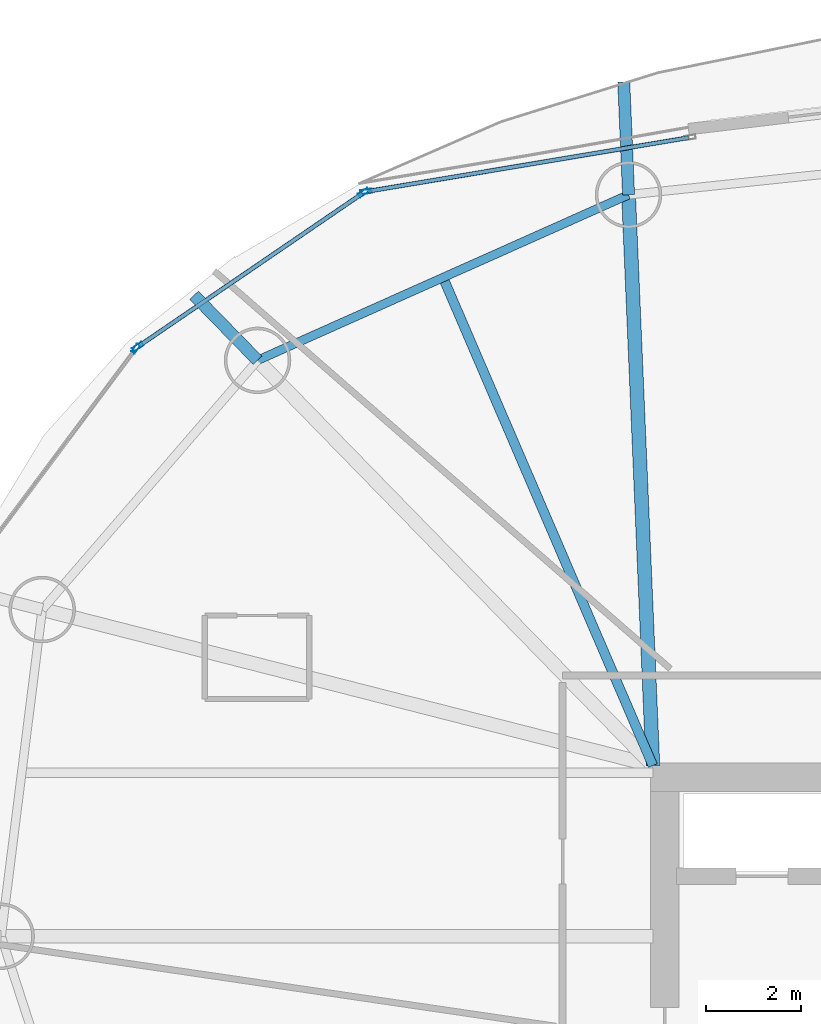
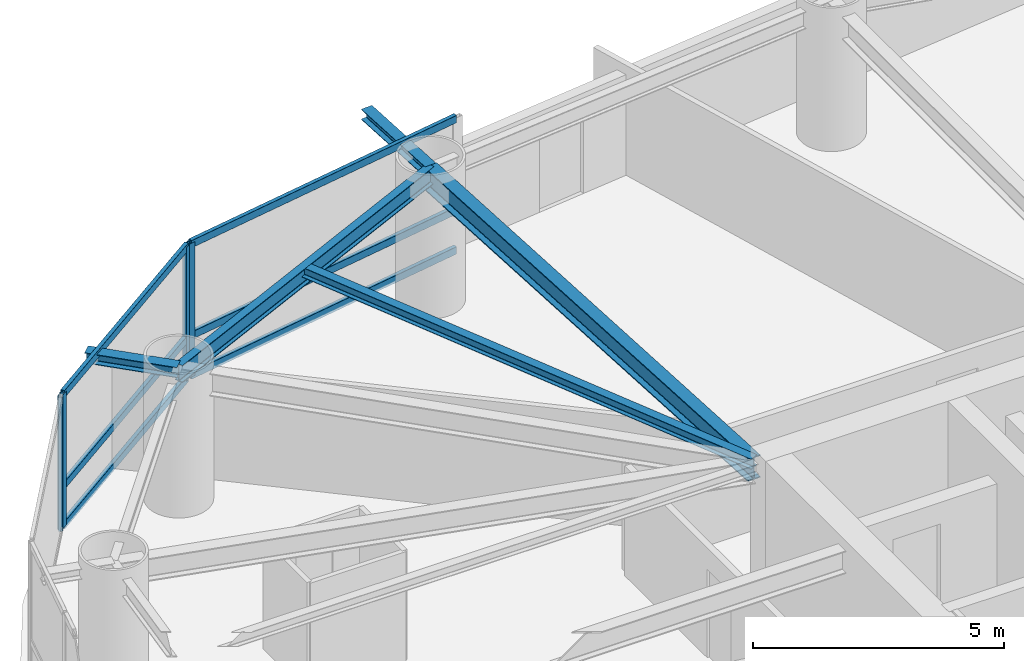
# One storey, part 14 of 22: 10 members, 5 beams, 3 elements without a shape of their own.
"""IFC4 building model written with IfcOpenShell, lengths in metres."""

from ifc_helpers import new_model, si_unit, direction, frame, origin, origin_2d, place, context, subcontext, project, spatial, hollow_rectangle, i_section, extrude, material, layer, layer_set, material_profile, profile_set, type_object, element, aggregate, save


model = new_model("IFC4")

# Units and contexts
model_context = context("Model", 3, precision=1e-05, world=origin(), true_north=direction((0.0, 1.0)))
body_context = subcontext(model_context, "Body", "Model", "MODEL_VIEW")
ifc_project = project(units=[si_unit("LENGTHUNIT", "METRE"), si_unit("AREAUNIT", "SQUARE_METRE"), si_unit("VOLUMEUNIT", "CUBIC_METRE"), si_unit("PLANEANGLEUNIT", "RADIAN"), si_unit("MASSUNIT", "GRAM", prefix="KILO")], contexts=[model_context])

# Site, building, storey
site_placement = place(None, origin())
site = spatial("IfcSite", under=ifc_project, at=site_placement, CompositionType="ELEMENT")
building_placement = place(site_placement, origin())
building = spatial("IfcBuilding", under=site, at=building_placement, Name="Bramvorn Convention Spire", CompositionType="ELEMENT")
storey_placement = place(building_placement, frame((0.0, 0.0, 134.300048828125)))
storey = spatial("IfcBuildingStorey", under=building, at=storey_placement, Name="L33", CompositionType="ELEMENT", Elevation=134.300048828125)

# Beams
ifc_material_1 = material(Name="Steel CSA G40.21 Grade 350 (350W)", Category="steel")
ifc_material_profile_1 = material_profile(ifc_material_1, i_section(OverallWidth=0.201904296875, OverallDepth=0.2470703125, WebThickness=0.00732421875, FlangeThickness=0.010986328125, FilletRadius=0.011962890625, at=origin_2d()))
ifc_profile_set_1 = profile_set([ifc_material_profile_1], Name="Steel CSA G40.21 Grade 350 (350W) - W250X49")
beam_type_1 = type_object("IfcBeamType", Name="BM-W250X49", PredefinedType="JOIST", material=ifc_profile_set_1)
beam_1_placement = place(storey_placement, frame((26.75, 33.449951171875, 3.136474609375), z_axis=(-0.394937739893, 0.918707886985, 0.0), x_axis=(-0.918707886985, -0.394937739893, 0.0)))
element("IfcBeam", 1, at=beam_1_placement, inside=storey, type_object=beam_type_1, Name="L33 composite floor joist 07", PredefinedType="JOIST", context=body_context, shape_type="SweptSolid", body=[
    extrude(i_section(OverallWidth=0.201904296875, OverallDepth=0.2470703125, WebThickness=0.00732421875, FlangeThickness=0.010986328125, FilletRadius=0.011962890625, at=origin_2d()), origin(), (0.0, 0.0, 1.0), 11.19384765625),
])
ifc_material_profile_2 = material_profile(ifc_material_1, i_section(OverallWidth=0.25390625, OverallDepth=0.2529296875, WebThickness=0.008544921875, FlangeThickness=0.01416015625, FilletRadius=0.011962890625, at=origin_2d()))
ifc_profile_set_2 = profile_set([ifc_material_profile_2], Name="Steel CSA G40.21 Grade 350 (350W) - W250X73")
beam_type_2 = type_object("IfcBeamType", Name="BM-W250X73", PredefinedType="BEAM", material=ifc_profile_set_2)
beam_2_placement = place(storey_placement, frame((26.23828125, 45.478759765625, 3.133544921875), z_axis=(-0.042497275787, 0.999096582694, 0.0), x_axis=(-0.999096582694, -0.042497275787, 0.0)))
element("IfcBeam", 2, at=beam_2_placement, inside=storey, type_object=beam_type_2, Name="L33 slab-edge cantilever tip beam MC07", PredefinedType="BEAM", context=body_context, shape_type="SweptSolid", body=[
    extrude(i_section(OverallWidth=0.25390625, OverallDepth=0.2529296875, WebThickness=0.008544921875, FlangeThickness=0.01416015625, FilletRadius=0.011962890625, at=origin_2d()), origin(), (0.0, 0.0, 1.0), 2.37841796875),
])
beam_3_placement = place(storey_placement, frame((18.420166015625, 41.9892578125, 3.133544921875), z_axis=(-0.698252132202, 0.715851911973, 0.0), x_axis=(-0.715851911973, -0.698252132202, 0.0)))
element("IfcBeam", 3, at=beam_3_placement, inside=storey, type_object=beam_type_2, Name="L33 slab-edge cantilever tip beam MC08", PredefinedType="BEAM", context=body_context, shape_type="SweptSolid", body=[
    extrude(i_section(OverallWidth=0.25390625, OverallDepth=0.2529296875, WebThickness=0.008544921875, FlangeThickness=0.01416015625, FilletRadius=0.011962890625, at=origin_2d()), origin(), (0.0, 0.0, 1.0), 1.914306640625),
])
ifc_material_profile_3 = material_profile(ifc_material_1, i_section(OverallWidth=0.180908203125, OverallDepth=0.4169921875, WebThickness=0.010986328125, FlangeThickness=0.018310546875, FilletRadius=0.01611328125, at=origin_2d()))
ifc_profile_set_3 = profile_set([ifc_material_profile_3], Name="Steel CSA G40.21 Grade 350 (350W) - W410X85")
beam_type_3 = type_object("IfcBeamType", Name="BM-W410X85", PredefinedType="JOIST", material=ifc_profile_set_3)
beam_4_placement = place(storey_placement, frame((26.23828125, 45.478759765625, 3.051513671875), z_axis=(-0.913169534701, -0.407579931908, 0.0), x_axis=(0.407579931908, -0.913169534701, 0.0)))
element("IfcBeam", 4, at=beam_4_placement, inside=storey, type_object=beam_type_3, Name="L33 mega-column ring beam 07", PredefinedType="JOIST", context=body_context, shape_type="SweptSolid", body=[
    extrude(i_section(OverallWidth=0.180908203125, OverallDepth=0.4169921875, WebThickness=0.010986328125, FlangeThickness=0.018310546875, FilletRadius=0.01611328125, at=origin_2d()), origin(), (0.0, 0.0, 1.0), 8.5615234375),
])
ifc_material_profile_4 = material_profile(ifc_material_1, i_section(OverallWidth=0.2919921875, OverallDepth=0.551025390625, WebThickness=0.01513671875, FlangeThickness=0.0244140625, FilletRadius=0.01904296875, at=origin_2d()))
ifc_profile_set_4 = profile_set([ifc_material_profile_4], Name="Steel CSA G40.21 Grade 350 (350W) - W530X182")
beam_type_4 = type_object("IfcBeamType", Name="BM-W530X182", PredefinedType="BEAM", material=ifc_profile_set_4)
beam_5_placement = place(storey_placement, frame((26.75, 33.449951171875, 2.984375), z_axis=(-0.042502657955, 0.999096353745, 0.0), x_axis=(-0.999096353745, -0.042502657955, 0.0)))
element("IfcBeam", 5, at=beam_5_placement, inside=storey, type_object=beam_type_4, Name="L33 radial floor girder MC07", PredefinedType="BEAM", context=body_context, shape_type="SweptSolid", body=[
    extrude(i_section(OverallWidth=0.2919921875, OverallDepth=0.551025390625, WebThickness=0.01513671875, FlangeThickness=0.0244140625, FilletRadius=0.01904296875, at=origin_2d()), origin(), (0.0, 0.0, 1.0), 12.039794921875),
])

# Curtain wall, member
ifc_material_2 = material(Name="Anodised Bronze Unitised Curtain Wall", Category="aluminium")
ifc_layer_1 = layer(ifc_material_2, 0.179931640625)
ifc_layer_set_1 = layer_set([ifc_layer_1], Name="Anodised Bronze Unitised Curtain Wall - CW-HTL-FRIT")
curtain_wall_type_1 = type_object("IfcCurtainWallType", Name="CW-HTL-FRIT", PredefinedType="USERDEFINED", material=ifc_layer_set_1)
curtain_wall_1_placement = place(storey_placement, origin())
curtain_wall_1 = element("IfcCurtainWall", 6, at=curtain_wall_1_placement, inside=storey, type_object=curtain_wall_type_1, Name="L33 fritted glass curtain wall 12", ObjectType="UNITISED CURTAIN WALL", PredefinedType="USERDEFINED")
ifc_material_3 = material(Name="Anodised Bronze Aluminium 6063-T6", Category="aluminium")
ifc_material_profile_5 = material_profile(ifc_material_3, hollow_rectangle(XDim=0.080078125, YDim=0.199951171875, WallThickness=0.00390625, InnerFilletRadius=0.0009765625, OuterFilletRadius=0.00390625, at=origin_2d()))
ifc_profile_set_5 = profile_set([ifc_material_profile_5], Name="Anodised Bronze Aluminium 6063-T6 - CWM80X200")
member_type_1 = type_object("IfcMemberType", Name="CW-MUL-180", PredefinedType="MULLION", material=ifc_profile_set_5)
member_1_placement = place(storey_placement, frame((15.853759765625, 42.23486328125, 0.0), z_axis=(0.0, 0.0, 1.0), x_axis=(-0.801474866207, 0.598028459891, 0.0)))
member_1 = element("IfcMember", 7, at=member_1_placement, type_object=member_type_1, Name="CW2 mullion 2", PredefinedType="MULLION", context=body_context, shape_type="SweptSolid", body=[
    extrude(hollow_rectangle(XDim=0.080078125, YDim=0.199951171875, WallThickness=0.00390625, InnerFilletRadius=0.0009765625, OuterFilletRadius=0.00390625, at=origin_2d()), origin(), (0.0, 0.0, 1.0), 3.260009765625),
])
aggregate(curtain_wall_1, [member_1])

ifc_layer_2 = layer(ifc_material_2, 0.219970703125)
ifc_layer_set_2 = layer_set([ifc_layer_2], Name="Anodised Bronze Unitised Curtain Wall - CW-SKYGARDEN")
curtain_wall_type_2 = type_object("IfcCurtainWallType", Name="CW-SKYGARDEN", PredefinedType="USERDEFINED", material=ifc_layer_set_2)
curtain_wall_2_placement = place(storey_placement, origin())
curtain_wall_2 = element("IfcCurtainWall", 8, at=curtain_wall_2_placement, inside=storey, type_object=curtain_wall_type_2, Name="L33 Sky Garden glazed facade 10", ObjectType="WINTER GARDEN GLAZING", PredefinedType="USERDEFINED")
ifc_material_profile_6 = material_profile(ifc_material_3, hollow_rectangle(XDim=0.090087890625, YDim=0.239990234375, WallThickness=0.00439453125, InnerFilletRadius=0.0009765625, OuterFilletRadius=0.00439453125, at=origin_2d()))
ifc_profile_set_6 = profile_set([ifc_material_profile_6], Name="Anodised Bronze Aluminium 6063-T6 - CWM90X240")
member_type_2 = type_object("IfcMemberType", Name="CW-MUL-220", PredefinedType="MULLION", material=ifc_profile_set_6)
member_2_placement = place(storey_placement, frame((20.7109375, 45.545654296875, 0.0), z_axis=(0.0, 0.0, 1.0), x_axis=(-0.164993995221, 0.986294571384, 0.0)))
member_2 = element("IfcMember", 9, at=member_2_placement, type_object=member_type_2, Name="CW4 mullion 1", PredefinedType="MULLION", context=body_context, shape_type="SweptSolid", body=[
    extrude(hollow_rectangle(XDim=0.090087890625, YDim=0.239990234375, WallThickness=0.00439453125, InnerFilletRadius=0.0009765625, OuterFilletRadius=0.00439453125, at=origin_2d()), origin(), (0.0, 0.0, 1.0), 3.260009765625),
])

# Curtain wall, members
curtain_wall_3_placement = place(storey_placement, origin())
curtain_wall_3 = element("IfcCurtainWall", 10, at=curtain_wall_3_placement, inside=storey, type_object=curtain_wall_type_2, Name="L33 Sky Garden glazed facade 11", ObjectType="WINTER GARDEN GLAZING", PredefinedType="USERDEFINED")
member_3_placement = place(storey_placement, frame((15.896484375, 42.27587890625, 0.0), z_axis=(0.0, 0.0, 1.0), x_axis=(-0.563636813473, 0.826022725171, 0.0)))
member_3 = element("IfcMember", 11, at=member_3_placement, type_object=member_type_2, Name="CW4 mullion 1", PredefinedType="MULLION", context=body_context, shape_type="SweptSolid", body=[
    extrude(hollow_rectangle(XDim=0.090087890625, YDim=0.239990234375, WallThickness=0.00439453125, InnerFilletRadius=0.0009765625, OuterFilletRadius=0.00439453125, at=origin_2d()), origin(), (0.0, 0.0, 1.0), 3.260009765625),
])
member_4_placement = place(storey_placement, frame((20.65673828125, 45.52392578125, 0.0), z_axis=(0.0, 0.0, 1.0), x_axis=(-0.563636813473, 0.826022725171, 0.0)))
member_4 = element("IfcMember", 12, at=member_4_placement, type_object=member_type_2, Name="CW4 mullion 2", PredefinedType="MULLION", context=body_context, shape_type="SweptSolid", body=[
    extrude(hollow_rectangle(XDim=0.090087890625, YDim=0.239990234375, WallThickness=0.00439453125, InnerFilletRadius=0.0009765625, OuterFilletRadius=0.00439453125, at=origin_2d()), origin(), (0.0, 0.0, 1.0), 3.260009765625),
])

# Member
ifc_material_profile_7 = material_profile(ifc_material_3, hollow_rectangle(XDim=0.090087890625, YDim=0.179931640625, WallThickness=0.00439453125, InnerFilletRadius=0.0009765625, OuterFilletRadius=0.00439453125, at=origin_2d()))
ifc_profile_set_7 = profile_set([ifc_material_profile_7], Name="Anodised Bronze Aluminium 6063-T6 - CWT90X180")
member_type_3 = type_object("IfcMemberType", Name="CW-TRN-180", PredefinedType="USERDEFINED", material=ifc_profile_set_7)
member_5_placement = place(storey_placement, frame((20.740478515625, 45.55078125, 0.030029296875), z_axis=(0.986299452477, 0.164964814561, 0.0), x_axis=(-0.164964814561, 0.986299452477, 0.0)))
member_5 = element("IfcMember", 13, at=member_5_placement, type_object=member_type_3, Name="CW4 transom 1.1", ObjectType="TRANSOM", PredefinedType="USERDEFINED", context=body_context, shape_type="SweptSolid", body=[
    extrude(hollow_rectangle(XDim=0.090087890625, YDim=0.179931640625, WallThickness=0.00439453125, InnerFilletRadius=0.0009765625, OuterFilletRadius=0.00439453125, at=origin_2d()), origin(), (0.0, 0.0, 1.0), 6.856689453125),
])

member_6_placement = place(storey_placement, frame((20.740478515625, 45.55078125, 1.0), z_axis=(0.986299452477, 0.164964814561, 0.0), x_axis=(-0.164964814561, 0.986299452477, 0.0)))
member_6 = element("IfcMember", 14, at=member_6_placement, type_object=member_type_3, Name="CW4 transom 1.2", ObjectType="TRANSOM", PredefinedType="USERDEFINED", context=body_context, shape_type="SweptSolid", body=[
    extrude(hollow_rectangle(XDim=0.090087890625, YDim=0.179931640625, WallThickness=0.00439453125, InnerFilletRadius=0.0009765625, OuterFilletRadius=0.00439453125, at=origin_2d()), origin(), (0.0, 0.0, 1.0), 6.856689453125),
])

member_7_placement = place(storey_placement, frame((20.740478515625, 45.55078125, 3.22998046875), z_axis=(0.986299452477, 0.164964814561, 0.0), x_axis=(-0.164964814561, 0.986299452477, 0.0)))
member_7 = element("IfcMember", 15, at=member_7_placement, type_object=member_type_3, Name="CW4 transom 1.3", ObjectType="TRANSOM", PredefinedType="USERDEFINED", context=body_context, shape_type="SweptSolid", body=[
    extrude(hollow_rectangle(XDim=0.090087890625, YDim=0.179931640625, WallThickness=0.00439453125, InnerFilletRadius=0.0009765625, OuterFilletRadius=0.00439453125, at=origin_2d()), origin(), (0.0, 0.0, 1.0), 6.856689453125),
])

aggregate(curtain_wall_2, [member_2, member_5, member_6, member_7])

member_8_placement = place(storey_placement, frame((15.921142578125, 42.292724609375, 0.030029296875), z_axis=(0.826021690414, 0.56363832993, 0.0), x_axis=(-0.56363832993, 0.826021690414, 0.0)))
member_8 = element("IfcMember", 16, at=member_8_placement, type_object=member_type_3, Name="CW4 transom 1.1", ObjectType="TRANSOM", PredefinedType="USERDEFINED", context=body_context, shape_type="SweptSolid", body=[
    extrude(hollow_rectangle(XDim=0.090087890625, YDim=0.179931640625, WallThickness=0.00439453125, InnerFilletRadius=0.0009765625, OuterFilletRadius=0.00439453125, at=origin_2d()), origin(), (0.0, 0.0, 1.0), 5.702880859375),
])

member_9_placement = place(storey_placement, frame((15.921142578125, 42.292724609375, 1.0), z_axis=(0.826021690414, 0.56363832993, 0.0), x_axis=(-0.56363832993, 0.826021690414, 0.0)))
member_9 = element("IfcMember", 17, at=member_9_placement, type_object=member_type_3, Name="CW4 transom 1.2", ObjectType="TRANSOM", PredefinedType="USERDEFINED", context=body_context, shape_type="SweptSolid", body=[
    extrude(hollow_rectangle(XDim=0.090087890625, YDim=0.179931640625, WallThickness=0.00439453125, InnerFilletRadius=0.0009765625, OuterFilletRadius=0.00439453125, at=origin_2d()), origin(), (0.0, 0.0, 1.0), 5.702880859375),
])

member_10_placement = place(storey_placement, frame((15.921142578125, 42.292724609375, 3.22998046875), z_axis=(0.826021690414, 0.56363832993, 0.0), x_axis=(-0.56363832993, 0.826021690414, 0.0)))
member_10 = element("IfcMember", 18, at=member_10_placement, type_object=member_type_3, Name="CW4 transom 1.3", ObjectType="TRANSOM", PredefinedType="USERDEFINED", context=body_context, shape_type="SweptSolid", body=[
    extrude(hollow_rectangle(XDim=0.090087890625, YDim=0.179931640625, WallThickness=0.00439453125, InnerFilletRadius=0.0009765625, OuterFilletRadius=0.00439453125, at=origin_2d()), origin(), (0.0, 0.0, 1.0), 5.702880859375),
])

aggregate(curtain_wall_3, [member_3, member_4, member_8, member_9, member_10])

save(model, "model.ifc")
